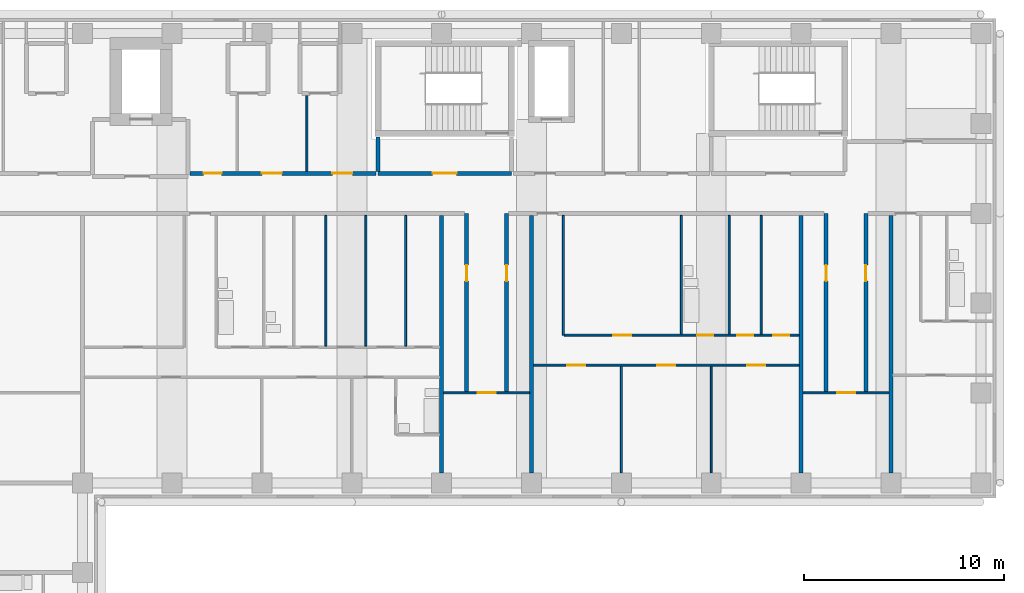
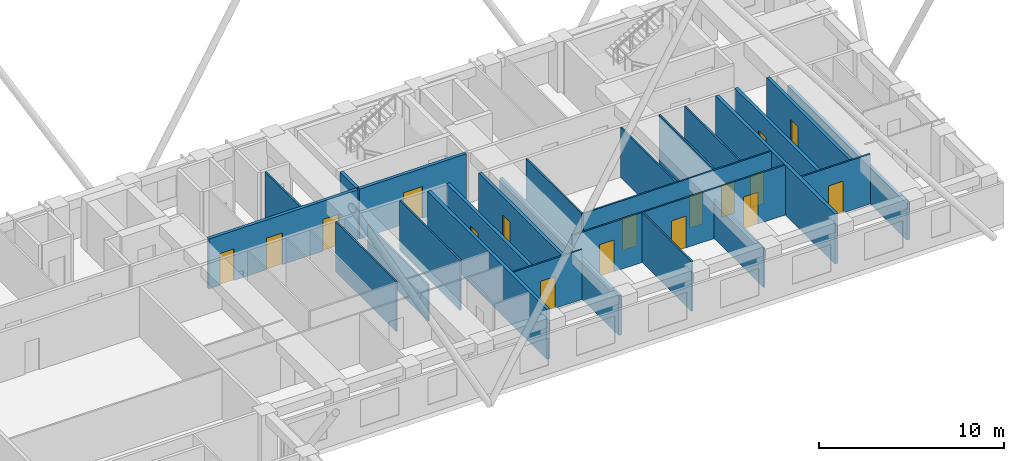
# One storey, part 8 of 13: 25 walls, 17 doors, 17 openings.
"""IFC4 building model written with IfcOpenShell, lengths in metres."""

from ifc_helpers import new_model, si_unit, direction, frame, frame_2d, origin, place, context, subcontext, project, spatial, rectangle, extrude, material, layer, layer_set, type_object, element, fill, save


model = new_model("IFC4")

# Units and contexts
model_context = context("Model", 3, precision=1e-05, world=origin(), true_north=direction((0.0, 1.0)))
body_context = subcontext(model_context, "Body", "Model", "MODEL_VIEW")
ifc_project = project(units=[si_unit("LENGTHUNIT", "METRE"), si_unit("AREAUNIT", "SQUARE_METRE"), si_unit("VOLUMEUNIT", "CUBIC_METRE"), si_unit("PLANEANGLEUNIT", "RADIAN"), si_unit("MASSUNIT", "GRAM", prefix="KILO")], contexts=[model_context])

# Site, building, storey
site_placement = place(None, origin())
site = spatial("IfcSite", under=ifc_project, at=site_placement, CompositionType="ELEMENT")
building_placement = place(site_placement, origin())
building = spatial("IfcBuilding", under=site, at=building_placement, Name="Firuza Court", CompositionType="ELEMENT")
storey_placement = place(building_placement, frame((0.0, 0.0, 162.800048828125)))
storey = spatial("IfcBuildingStorey", under=building, at=storey_placement, Name="L41", CompositionType="ELEMENT", Elevation=162.800048828125)

# Walls
ifc_material_1 = material(Name="Moisture-resistant gypsum board partition")
ifc_layer_1 = layer(ifc_material_1, 0.10009765625)
ifc_layer_set_1 = layer_set([ifc_layer_1], Name="Moisture-resistant gypsum board partition")
wall_type_1 = type_object("IfcWallType", Name="Bathroom partition 100", PredefinedType="PLUMBINGWALL", material=ifc_layer_set_1)
for number, where, z_axis, x_axis, name in (
    (1, (52.5, 43.449951171875, 0.0), (0.0, 0.0, 1.0), (0.0, 1.0, 0.0), "Bathroom partition 100 L41"),
    (2, (54.89990234375, 43.449951171875, 0.0), (0.0, 0.0, 1.0), (0.0, 1.0, 0.0), "Bathroom partition 100 L41"),
):
    element("IfcWall", number, at=place(storey_placement, frame(where, z_axis=z_axis, x_axis=x_axis)), inside=storey, type_object=wall_type_1, Name=name, PredefinedType="PLUMBINGWALL", context=body_context, shape_type="SweptSolid", body=[
        extrude(rectangle(XDim=5.949951171875, YDim=0.10009765625, at=frame_2d((2.97509765625, 0.0))), origin(), (0.0, 0.0, 1.0), 3.300048828125),
    ])

# Wall, opening, door
ifc_material_2 = material(Name="Blockwork, plastered both sides", Category="masonry")
ifc_layer_2 = layer(ifc_material_2, 0.199951171875)
ifc_layer_set_2 = layer_set([ifc_layer_2], Name="Blockwork, plastered both sides")
wall_type_2 = type_object("IfcWallType", Name="Corridor wall 200", PredefinedType="PARTITIONING", material=ifc_layer_set_2)
wall_1_placement = place(storey_placement, frame((41.75, 40.550048828125, 0.0), z_axis=(0.0, 0.0, 1.0), x_axis=(0.0, 1.0, 0.0)))
wall_1 = element("IfcWall", 3, at=wall_1_placement, inside=storey, type_object=wall_type_2, Name="Corridor wall 200 L41", PredefinedType="PARTITIONING", context=body_context, shape_type="SweptSolid", body=[
    extrude(rectangle(XDim=8.949951171875, YDim=0.199951171875, at=frame_2d((4.47509765625, 0.0))), origin(), (0.0, 0.0, 1.0), 3.300048828125),
])
opening_1_placement = place(wall_1_placement, frame((5.550048828125, 0.0, 0.0)))
opening_1 = element("IfcOpeningElement", 4, at=opening_1_placement, cuts=wall_1, Name="Opening D41042", PredefinedType="OPENING", context=body_context, shape_type="SweptSolid", body=[
    extrude(rectangle(XDim=0.800048828125, YDim=2.10009765625, at=frame_2d((0.39990234375, 1.050048828125))), frame((0.0, 0.11181640625, 0.0), z_axis=(0.0, -1.0, 0.0), x_axis=(1.0, 0.0, 0.0)), (0.0, 0.0, 1.0), 0.223876953125),
])
ifc_material_3 = material(Name="Timber door leaf in hardwood frame", Category="wood")
door_type_1 = type_object("IfcDoorType", Name="Room door 800 EI 30", OperationType="SINGLE_SWING_LEFT", PredefinedType="DOOR", material=ifc_material_3)
door_1_placement = place(opening_1_placement, origin())
door_1 = element("IfcDoor", 5, at=door_1_placement, inside=storey, type_object=door_type_1, Name="Store door", OperationType="SINGLE_SWING_RIGHT", OverallHeight=2.10009765625, OverallWidth=0.800048828125, PredefinedType="DOOR", context=body_context, shape_type="SweptSolid", body=[
    extrude(rectangle(XDim=0.800048828125, YDim=2.10009765625, at=frame_2d((0.39990234375, 1.050048828125))), frame((0.0, 0.02490234375, 0.0), z_axis=(0.0, -1.0, 0.0), x_axis=(1.0, 0.0, 0.0)), (0.0, 0.0, 1.0), 0.050048828125),
])
fill(opening_1, door_1)

wall_2_placement = place(storey_placement, frame((43.75, 40.550048828125, 0.0), z_axis=(0.0, 0.0, 1.0), x_axis=(0.0, 1.0, 0.0)))
wall_2 = element("IfcWall", 6, at=wall_2_placement, inside=storey, type_object=wall_type_2, Name="Corridor wall 200 L41", PredefinedType="PARTITIONING", context=body_context, shape_type="SweptSolid", body=[
    extrude(rectangle(XDim=8.949951171875, YDim=0.199951171875, at=frame_2d((4.47509765625, 0.0))), origin(), (0.0, 0.0, 1.0), 3.300048828125),
])
opening_2_placement = place(wall_2_placement, frame((5.550048828125, 0.0, 0.0)))
opening_2 = element("IfcOpeningElement", 7, at=opening_2_placement, cuts=wall_2, Name="Opening D41043", PredefinedType="OPENING", context=body_context, shape_type="SweptSolid", body=[
    extrude(rectangle(XDim=0.800048828125, YDim=2.10009765625, at=frame_2d((0.39990234375, 1.050048828125))), frame((0.0, 0.11181640625, 0.0), z_axis=(0.0, -1.0, 0.0), x_axis=(1.0, 0.0, 0.0)), (0.0, 0.0, 1.0), 0.223876953125),
])
door_2_placement = place(opening_2_placement, frame((0.800048828125, 0.0, 0.0), z_axis=(0.0, 0.0, 1.0), x_axis=(-1.0, 0.0, 0.0)))
door_2 = element("IfcDoor", 8, at=door_2_placement, inside=storey, type_object=door_type_1, Name="Store door", OperationType="SINGLE_SWING_LEFT", OverallHeight=2.10009765625, OverallWidth=0.800048828125, PredefinedType="DOOR", context=body_context, shape_type="SweptSolid", body=[
    extrude(rectangle(XDim=0.800048828125, YDim=2.10009765625, at=frame_2d((0.39990234375, 1.050048828125))), frame((0.0, 0.02490234375, 0.0), z_axis=(0.0, -1.0, 0.0), x_axis=(1.0, 0.0, 0.0)), (0.0, 0.0, 1.0), 0.050048828125),
])
fill(opening_2, door_2)

wall_3_placement = place(storey_placement, frame((59.75, 40.550048828125, 0.0), z_axis=(0.0, 0.0, 1.0), x_axis=(0.0, 1.0, 0.0)))
wall_3 = element("IfcWall", 9, at=wall_3_placement, inside=storey, type_object=wall_type_2, Name="Corridor wall 200 L41", PredefinedType="PARTITIONING", context=body_context, shape_type="SweptSolid", body=[
    extrude(rectangle(XDim=8.949951171875, YDim=0.199951171875, at=frame_2d((4.47509765625, 0.0))), origin(), (0.0, 0.0, 1.0), 3.300048828125),
])
opening_3_placement = place(wall_3_placement, frame((5.550048828125, 0.0, 0.0)))
opening_3 = element("IfcOpeningElement", 10, at=opening_3_placement, cuts=wall_3, Name="Opening D41044", PredefinedType="OPENING", context=body_context, shape_type="SweptSolid", body=[
    extrude(rectangle(XDim=0.800048828125, YDim=2.10009765625, at=frame_2d((0.39990234375, 1.050048828125))), frame((0.0, 0.11181640625, 0.0), z_axis=(0.0, -1.0, 0.0), x_axis=(1.0, 0.0, 0.0)), (0.0, 0.0, 1.0), 0.223876953125),
])
door_3_placement = place(opening_3_placement, origin())
door_3 = element("IfcDoor", 11, at=door_3_placement, inside=storey, type_object=door_type_1, Name="Store door", OperationType="SINGLE_SWING_RIGHT", OverallHeight=2.10009765625, OverallWidth=0.800048828125, PredefinedType="DOOR", context=body_context, shape_type="SweptSolid", body=[
    extrude(rectangle(XDim=0.800048828125, YDim=2.10009765625, at=frame_2d((0.39990234375, 1.050048828125))), frame((0.0, 0.02490234375, 0.0), z_axis=(0.0, -1.0, 0.0), x_axis=(1.0, 0.0, 0.0)), (0.0, 0.0, 1.0), 0.050048828125),
])
fill(opening_3, door_3)

wall_4_placement = place(storey_placement, frame((61.75, 40.550048828125, 0.0), z_axis=(0.0, 0.0, 1.0), x_axis=(0.0, 1.0, 0.0)))
wall_4 = element("IfcWall", 12, at=wall_4_placement, inside=storey, type_object=wall_type_2, Name="Corridor wall 200 L41", PredefinedType="PARTITIONING", context=body_context, shape_type="SweptSolid", body=[
    extrude(rectangle(XDim=8.949951171875, YDim=0.199951171875, at=frame_2d((4.47509765625, 0.0))), origin(), (0.0, 0.0, 1.0), 3.300048828125),
])
opening_4_placement = place(wall_4_placement, frame((5.550048828125, 0.0, 0.0)))
opening_4 = element("IfcOpeningElement", 13, at=opening_4_placement, cuts=wall_4, Name="Opening D41045", PredefinedType="OPENING", context=body_context, shape_type="SweptSolid", body=[
    extrude(rectangle(XDim=0.800048828125, YDim=2.10009765625, at=frame_2d((0.39990234375, 1.050048828125))), frame((0.0, 0.11181640625, 0.0), z_axis=(0.0, -1.0, 0.0), x_axis=(1.0, 0.0, 0.0)), (0.0, 0.0, 1.0), 0.223876953125),
])
door_4_placement = place(opening_4_placement, frame((0.800048828125, 0.0, 0.0), z_axis=(0.0, 0.0, 1.0), x_axis=(-1.0, 0.0, 0.0)))
door_4 = element("IfcDoor", 14, at=door_4_placement, inside=storey, type_object=door_type_1, Name="Store door", OperationType="SINGLE_SWING_LEFT", OverallHeight=2.10009765625, OverallWidth=0.800048828125, PredefinedType="DOOR", context=body_context, shape_type="SweptSolid", body=[
    extrude(rectangle(XDim=0.800048828125, YDim=2.10009765625, at=frame_2d((0.39990234375, 1.050048828125))), frame((0.0, 0.02490234375, 0.0), z_axis=(0.0, -1.0, 0.0), x_axis=(1.0, 0.0, 0.0)), (0.0, 0.0, 1.0), 0.050048828125),
])
fill(opening_4, door_4)

# Wall, openings, doors
wall_5_placement = place(storey_placement, frame((27.89990234375, 51.5, 0.0), z_axis=(0.0, 0.0, 1.0), x_axis=(1.0, 0.0, 0.0)))
wall_5 = element("IfcWall", 15, at=wall_5_placement, inside=storey, type_object=wall_type_2, Name="Corridor wall 200 L41", PredefinedType="PARTITIONING", context=body_context, shape_type="SweptSolid", body=[
    extrude(rectangle(XDim=9.300048828125, YDim=0.199951171875, at=frame_2d((4.64990234375, 0.0))), origin(), (0.0, 0.0, 1.0), 3.300048828125),
])
opening_5_placement = place(wall_5_placement, frame((0.675048828125, 0.0, 0.0)))
opening_5 = element("IfcOpeningElement", 16, at=opening_5_placement, cuts=wall_5, Name="Opening D41073", PredefinedType="OPENING", context=body_context, shape_type="SweptSolid", body=[
    extrude(rectangle(XDim=0.89990234375, YDim=2.10009765625, at=frame_2d((0.449951171875, 1.050048828125))), frame((0.0, 0.11181640625, 0.0), z_axis=(0.0, -1.0, 0.0), x_axis=(1.0, 0.0, 0.0)), (0.0, 0.0, 1.0), 0.223876953125),
])
opening_6_placement = place(wall_5_placement, frame((3.60009765625, 0.0, 0.0)))
opening_6 = element("IfcOpeningElement", 17, at=opening_6_placement, cuts=wall_5, Name="Opening D41074", PredefinedType="OPENING", context=body_context, shape_type="SweptSolid", body=[
    extrude(rectangle(XDim=1.0, YDim=2.10009765625, at=frame_2d((0.5, 1.050048828125))), frame((0.0, 0.11181640625, 0.0), z_axis=(0.0, -1.0, 0.0), x_axis=(1.0, 0.0, 0.0)), (0.0, 0.0, 1.0), 0.223876953125),
])
opening_7_placement = place(wall_5_placement, frame((7.125, 0.0, 0.0)))
opening_7 = element("IfcOpeningElement", 18, at=opening_7_placement, cuts=wall_5, Name="Opening D41075", PredefinedType="OPENING", context=body_context, shape_type="SweptSolid", body=[
    extrude(rectangle(XDim=1.0, YDim=2.10009765625, at=frame_2d((0.5, 1.050048828125))), frame((0.0, 0.11181640625, 0.0), z_axis=(0.0, -1.0, 0.0), x_axis=(1.0, 0.0, 0.0)), (0.0, 0.0, 1.0), 0.223876953125),
])
ifc_material_4 = material(Name="Timber door leaf in hardwood frame", Category="wood")
door_type_2 = type_object("IfcDoorType", Name="Room door 900 EI 30", OperationType="SINGLE_SWING_LEFT", PredefinedType="DOOR", material=ifc_material_4)
door_5_placement = place(opening_5_placement, origin())
door_5 = element("IfcDoor", 19, at=door_5_placement, inside=storey, type_object=door_type_2, Name="Residents' workroom door", OperationType="SINGLE_SWING_LEFT", OverallHeight=2.10009765625, OverallWidth=0.89990234375, PredefinedType="DOOR", context=body_context, shape_type="SweptSolid", body=[
    extrude(rectangle(XDim=0.89990234375, YDim=2.10009765625, at=frame_2d((0.449951171875, 1.050048828125))), frame((0.0, 0.02490234375, 0.0), z_axis=(0.0, -1.0, 0.0), x_axis=(1.0, 0.0, 0.0)), (0.0, 0.0, 1.0), 0.050048828125),
])
fill(opening_5, door_5)
ifc_material_5 = material(Name="Timber door leaf in hardwood frame", Category="wood")
door_type_3 = type_object("IfcDoorType", Name="Store door 1000", OperationType="SINGLE_SWING_LEFT", PredefinedType="DOOR", material=ifc_material_5)
door_6_placement = place(opening_6_placement, origin())
door_6 = element("IfcDoor", 20, at=door_6_placement, inside=storey, type_object=door_type_3, Name="Refuse store door", OperationType="SINGLE_SWING_LEFT", OverallHeight=2.10009765625, OverallWidth=1.0, PredefinedType="DOOR", context=body_context, shape_type="SweptSolid", body=[
    extrude(rectangle(XDim=1.0, YDim=2.10009765625, at=frame_2d((0.5, 1.050048828125))), frame((0.0, 0.02490234375, 0.0), z_axis=(0.0, -1.0, 0.0), x_axis=(1.0, 0.0, 0.0)), (0.0, 0.0, 1.0), 0.050048828125),
])
fill(opening_6, door_6)
door_7_placement = place(opening_7_placement, origin())
door_7 = element("IfcDoor", 21, at=door_7_placement, inside=storey, type_object=door_type_3, Name="Cleaner's store door", OperationType="SINGLE_SWING_LEFT", OverallHeight=2.10009765625, OverallWidth=1.0, PredefinedType="DOOR", context=body_context, shape_type="SweptSolid", body=[
    extrude(rectangle(XDim=1.0, YDim=2.10009765625, at=frame_2d((0.5, 1.050048828125))), frame((0.0, 0.02490234375, 0.0), z_axis=(0.0, -1.0, 0.0), x_axis=(1.0, 0.0, 0.0)), (0.0, 0.0, 1.0), 0.050048828125),
])
fill(opening_7, door_7)

# Walls
ifc_material_6 = material(Name="Timber stud partition, plasterboard both sides", Category="wood")
ifc_layer_3 = layer(ifc_material_6, 0.10009765625)
ifc_layer_set_3 = layer_set([ifc_layer_3], Name="Timber stud partition, plasterboard both sides")
wall_type_3 = type_object("IfcWallType", Name="Partition wall 100", PredefinedType="PARTITIONING", material=ifc_layer_set_3)
wall_6_placement = place(storey_placement, frame((49.5, 36.5, 0.0), z_axis=(0.0, 0.0, 1.0), x_axis=(0.0, 1.0, 0.0)))
element("IfcWall", 22, at=wall_6_placement, inside=storey, type_object=wall_type_3, Name="Partition wall 100 L41", PredefinedType="PARTITIONING", context=body_context, shape_type="SweptSolid", body=[
    extrude(rectangle(XDim=5.35009765625, YDim=0.10009765625, at=frame_2d((2.675048828125, 0.0))), origin(), (0.0, 0.0, 1.0), 3.300048828125),
])
wall_7_placement = place(storey_placement, frame((54.0, 36.5, 0.0), z_axis=(0.0, 0.0, 1.0), x_axis=(0.0, 1.0, 0.0)))
element("IfcWall", 23, at=wall_7_placement, inside=storey, type_object=wall_type_3, Name="Partition wall 100 L41", PredefinedType="PARTITIONING", context=body_context, shape_type="SweptSolid", body=[
    extrude(rectangle(XDim=5.35009765625, YDim=0.10009765625, at=frame_2d((2.675048828125, 0.0))), origin(), (0.0, 0.0, 1.0), 2.599853515625),
])

# Wall, opening, door
wall_8_placement = place(storey_placement, frame((40.60009765625, 40.5, 0.0), z_axis=(0.0, 0.0, 1.0), x_axis=(1.0, 0.0, 0.0)))
wall_8 = element("IfcWall", 24, at=wall_8_placement, inside=storey, type_object=wall_type_3, Name="Partition wall 100 L41", PredefinedType="PARTITIONING", context=body_context, shape_type="SweptSolid", body=[
    extrude(rectangle(XDim=4.2998046875, YDim=0.10009765625, at=frame_2d((2.14990234375, 0.0))), origin(), (0.0, 0.0, 1.0), 3.300048828125),
])
opening_8_placement = place(wall_8_placement, frame((1.699951171875, 0.0, 0.0)))
opening_8 = element("IfcOpeningElement", 25, at=opening_8_placement, cuts=wall_8, Name="Opening D41040", PredefinedType="OPENING", context=body_context, shape_type="SweptSolid", body=[
    extrude(rectangle(XDim=0.89990234375, YDim=2.10009765625, at=frame_2d((0.449951171875, 1.050048828125))), frame((0.0, 0.06201171875, 0.0), z_axis=(0.0, -1.0, 0.0), x_axis=(1.0, 0.0, 0.0)), (0.0, 0.0, 1.0), 0.1240234375),
])
ifc_material_7 = material(Name="Timber door leaf in hardwood frame", Category="wood")
door_type_4 = type_object("IfcDoorType", Name="Room door 900", OperationType="SINGLE_SWING_LEFT", PredefinedType="DOOR", material=ifc_material_7)
door_8_placement = place(opening_8_placement, origin())
door_8 = element("IfcDoor", 26, at=door_8_placement, inside=storey, type_object=door_type_4, Name="Music lounge door", OperationType="SINGLE_SWING_LEFT", OverallHeight=2.10009765625, OverallWidth=0.89990234375, PredefinedType="DOOR", context=body_context, shape_type="SweptSolid", body=[
    extrude(rectangle(XDim=0.89990234375, YDim=2.10009765625, at=frame_2d((0.449951171875, 1.050048828125))), frame((0.0, 0.02490234375, 0.0), z_axis=(0.0, -1.0, 0.0), x_axis=(1.0, 0.0, 0.0)), (0.0, 0.0, 1.0), 0.050048828125),
])
fill(opening_8, door_8)

wall_9_placement = place(storey_placement, frame((58.60009765625, 40.5, 0.0), z_axis=(0.0, 0.0, 1.0), x_axis=(1.0, 0.0, 0.0)))
wall_9 = element("IfcWall", 27, at=wall_9_placement, inside=storey, type_object=wall_type_3, Name="Partition wall 100 L41", PredefinedType="PARTITIONING", context=body_context, shape_type="SweptSolid", body=[
    extrude(rectangle(XDim=4.2998046875, YDim=0.10009765625, at=frame_2d((2.14990234375, 0.0))), origin(), (0.0, 0.0, 1.0), 3.300048828125),
])
opening_9_placement = place(wall_9_placement, frame((1.699951171875, 0.0, 0.0)))
opening_9 = element("IfcOpeningElement", 28, at=opening_9_placement, cuts=wall_9, Name="Opening D41041", PredefinedType="OPENING", context=body_context, shape_type="SweptSolid", body=[
    extrude(rectangle(XDim=0.89990234375, YDim=2.10009765625, at=frame_2d((0.449951171875, 1.050048828125))), frame((0.0, 0.06201171875, 0.0), z_axis=(0.0, -1.0, 0.0), x_axis=(1.0, 0.0, 0.0)), (0.0, 0.0, 1.0), 0.1240234375),
])
door_9_placement = place(opening_9_placement, origin())
door_9 = element("IfcDoor", 29, at=door_9_placement, inside=storey, type_object=door_type_4, Name="Residents' lounge door", OperationType="SINGLE_SWING_LEFT", OverallHeight=2.10009765625, OverallWidth=0.89990234375, PredefinedType="DOOR", context=body_context, shape_type="SweptSolid", body=[
    extrude(rectangle(XDim=0.89990234375, YDim=2.10009765625, at=frame_2d((0.449951171875, 1.050048828125))), frame((0.0, 0.02490234375, 0.0), z_axis=(0.0, -1.0, 0.0), x_axis=(1.0, 0.0, 0.0)), (0.0, 0.0, 1.0), 0.050048828125),
])
fill(opening_9, door_9)

# Wall, openings, doors
wall_10_placement = place(storey_placement, frame((45.10009765625, 41.89990234375, 0.0), z_axis=(0.0, 0.0, 1.0), x_axis=(1.0, 0.0, 0.0)))
wall_10 = element("IfcWall", 30, at=wall_10_placement, inside=storey, type_object=wall_type_3, Name="Partition wall 100 L41", PredefinedType="PARTITIONING", context=body_context, shape_type="SweptSolid", body=[
    extrude(rectangle(XDim=13.2998046875, YDim=0.10009765625, at=frame_2d((6.64990234375, 0.0))), origin(), (0.0, 0.0, 1.0), 3.300048828125),
])
opening_10_placement = place(wall_10_placement, frame((1.699951171875, 0.0, 0.0)))
opening_10 = element("IfcOpeningElement", 31, at=opening_10_placement, cuts=wall_10, Name="Opening D41050", PredefinedType="OPENING", context=body_context, shape_type="SweptSolid", body=[
    extrude(rectangle(XDim=0.89990234375, YDim=2.10009765625, at=frame_2d((0.449951171875, 1.050048828125))), frame((0.0, 0.06201171875, 0.0), z_axis=(0.0, -1.0, 0.0), x_axis=(1.0, 0.0, 0.0)), (0.0, 0.0, 1.0), 0.1240234375),
])
opening_11_placement = place(wall_10_placement, frame((6.199951171875, 0.0, 0.0)))
opening_11 = element("IfcOpeningElement", 32, at=opening_11_placement, cuts=wall_10, Name="Opening D41051", PredefinedType="OPENING", context=body_context, shape_type="SweptSolid", body=[
    extrude(rectangle(XDim=0.89990234375, YDim=2.10009765625, at=frame_2d((0.449951171875, 1.050048828125))), frame((0.0, 0.06201171875, 0.0), z_axis=(0.0, -1.0, 0.0), x_axis=(1.0, 0.0, 0.0)), (0.0, 0.0, 1.0), 0.1240234375),
])
opening_12_placement = place(wall_10_placement, frame((10.699951171875, 0.0, 0.0)))
opening_12 = element("IfcOpeningElement", 33, at=opening_12_placement, cuts=wall_10, Name="Opening D41052", PredefinedType="OPENING", context=body_context, shape_type="SweptSolid", body=[
    extrude(rectangle(XDim=0.89990234375, YDim=2.10009765625, at=frame_2d((0.449951171875, 1.050048828125))), frame((0.0, 0.06201171875, 0.0), z_axis=(0.0, -1.0, 0.0), x_axis=(1.0, 0.0, 0.0)), (0.0, 0.0, 1.0), 0.1240234375),
])
door_10_placement = place(opening_10_placement, frame((0.89990234375, 0.0, 0.0), z_axis=(0.0, 0.0, 1.0), x_axis=(-1.0, 0.0, 0.0)))
door_10 = element("IfcDoor", 34, at=door_10_placement, inside=storey, type_object=door_type_4, Name="Living room door", OperationType="SINGLE_SWING_RIGHT", OverallHeight=2.10009765625, OverallWidth=0.89990234375, PredefinedType="DOOR", context=body_context, shape_type="SweptSolid", body=[
    extrude(rectangle(XDim=0.89990234375, YDim=2.10009765625, at=frame_2d((0.449951171875, 1.050048828125))), frame((0.0, 0.02490234375, 0.0), z_axis=(0.0, -1.0, 0.0), x_axis=(1.0, 0.0, 0.0)), (0.0, 0.0, 1.0), 0.050048828125),
])
fill(opening_10, door_10)
door_11_placement = place(opening_11_placement, frame((0.89990234375, 0.0, 0.0), z_axis=(0.0, 0.0, 1.0), x_axis=(-1.0, 0.0, 0.0)))
door_11 = element("IfcDoor", 35, at=door_11_placement, inside=storey, type_object=door_type_4, Name="Bedroom door", OperationType="SINGLE_SWING_RIGHT", OverallHeight=2.10009765625, OverallWidth=0.89990234375, PredefinedType="DOOR", context=body_context, shape_type="SweptSolid", body=[
    extrude(rectangle(XDim=0.89990234375, YDim=2.10009765625, at=frame_2d((0.449951171875, 1.050048828125))), frame((0.0, 0.02490234375, 0.0), z_axis=(0.0, -1.0, 0.0), x_axis=(1.0, 0.0, 0.0)), (0.0, 0.0, 1.0), 0.050048828125),
])
fill(opening_11, door_11)
door_12_placement = place(opening_12_placement, frame((0.89990234375, 0.0, 0.0), z_axis=(0.0, 0.0, 1.0), x_axis=(-1.0, 0.0, 0.0)))
door_12 = element("IfcDoor", 36, at=door_12_placement, inside=storey, type_object=door_type_4, Name="Bedroom door", OperationType="SINGLE_SWING_RIGHT", OverallHeight=2.10009765625, OverallWidth=0.89990234375, PredefinedType="DOOR", context=body_context, shape_type="SweptSolid", body=[
    extrude(rectangle(XDim=0.89990234375, YDim=2.10009765625, at=frame_2d((0.449951171875, 1.050048828125))), frame((0.0, 0.02490234375, 0.0), z_axis=(0.0, -1.0, 0.0), x_axis=(1.0, 0.0, 0.0)), (0.0, 0.0, 1.0), 0.050048828125),
])
fill(opening_12, door_12)

# Walls
wall_11_placement = place(storey_placement, frame((34.699951171875, 42.85009765625, 0.0), z_axis=(0.0, 0.0, 1.0), x_axis=(0.0, 1.0, 0.0)))
element("IfcWall", 37, at=wall_11_placement, inside=storey, type_object=wall_type_3, Name="Partition wall 100 L41", PredefinedType="PARTITIONING", context=body_context, shape_type="SweptSolid", body=[
    extrude(rectangle(XDim=6.5498046875, YDim=0.10009765625, at=frame_2d((3.27490234375, 0.0))), origin(), (0.0, 0.0, 1.0), 3.300048828125),
])
wall_12_placement = place(storey_placement, frame((36.699951171875, 42.85009765625, 0.0), z_axis=(0.0, 0.0, 1.0), x_axis=(0.0, 1.0, 0.0)))
element("IfcWall", 38, at=wall_12_placement, inside=storey, type_object=wall_type_3, Name="Partition wall 100 L41", PredefinedType="PARTITIONING", context=body_context, shape_type="SweptSolid", body=[
    extrude(rectangle(XDim=6.5498046875, YDim=0.10009765625, at=frame_2d((3.27490234375, 0.0))), origin(), (0.0, 0.0, 1.0), 2.39990234375),
])
wall_13_placement = place(storey_placement, frame((38.699951171875, 42.85009765625, 0.0), z_axis=(0.0, 0.0, 1.0), x_axis=(0.0, 1.0, 0.0)))
element("IfcWall", 39, at=wall_13_placement, inside=storey, type_object=wall_type_3, Name="Partition wall 100 L41", PredefinedType="PARTITIONING", context=body_context, shape_type="SweptSolid", body=[
    extrude(rectangle(XDim=6.5498046875, YDim=0.10009765625, at=frame_2d((3.27490234375, 0.0))), origin(), (0.0, 0.0, 1.0), 3.300048828125),
])
wall_14_placement = place(storey_placement, frame((46.60009765625, 43.39990234375, 0.0), z_axis=(0.0, 0.0, 1.0), x_axis=(0.0, 1.0, 0.0)))
element("IfcWall", 40, at=wall_14_placement, inside=storey, type_object=wall_type_3, Name="Partition wall 100 L41", PredefinedType="PARTITIONING", context=body_context, shape_type="SweptSolid", body=[
    extrude(rectangle(XDim=6.0, YDim=0.10009765625, at=frame_2d((3.0, 0.0))), origin(), (0.0, 0.0, 1.0), 3.300048828125),
])

# Wall, openings, doors
wall_15_placement = place(storey_placement, frame((46.64990234375, 43.39990234375, 0.0), z_axis=(0.0, 0.0, 1.0), x_axis=(1.0, 0.0, 0.0)))
wall_15 = element("IfcWall", 41, at=wall_15_placement, inside=storey, type_object=wall_type_3, Name="Partition wall 100 L41", PredefinedType="PARTITIONING", context=body_context, shape_type="SweptSolid", body=[
    extrude(rectangle(XDim=11.75, YDim=0.10009765625, at=frame_2d((5.875, 0.0))), origin(), (0.0, 0.0, 1.0), 3.300048828125),
])
opening_13_placement = place(wall_15_placement, frame((6.64990234375, 0.0, 0.0)))
opening_13 = element("IfcOpeningElement", 42, at=opening_13_placement, cuts=wall_15, Name="Opening D41060", PredefinedType="OPENING", context=body_context, shape_type="SweptSolid", body=[
    extrude(rectangle(XDim=0.800048828125, YDim=2.10009765625, at=frame_2d((0.39990234375, 1.050048828125))), frame((0.0, 0.06201171875, 0.0), z_axis=(0.0, -1.0, 0.0), x_axis=(1.0, 0.0, 0.0)), (0.0, 0.0, 1.0), 0.1240234375),
])
opening_14_placement = place(wall_15_placement, frame((2.449951171875, 0.0, 0.0)))
opening_14 = element("IfcOpeningElement", 43, at=opening_14_placement, cuts=wall_15, Name="Opening D41061", PredefinedType="OPENING", context=body_context, shape_type="SweptSolid", body=[
    extrude(rectangle(XDim=0.89990234375, YDim=2.10009765625, at=frame_2d((0.449951171875, 1.050048828125))), frame((0.0, 0.06201171875, 0.0), z_axis=(0.0, -1.0, 0.0), x_axis=(1.0, 0.0, 0.0)), (0.0, 0.0, 1.0), 0.1240234375),
])
opening_15_placement = place(wall_15_placement, frame((8.64990234375, 0.0, 0.0)))
opening_15 = element("IfcOpeningElement", 44, at=opening_15_placement, cuts=wall_15, Name="Opening D41062", PredefinedType="OPENING", context=body_context, shape_type="SweptSolid", body=[
    extrude(rectangle(XDim=0.800048828125, YDim=2.10009765625, at=frame_2d((0.39990234375, 1.050048828125))), frame((0.0, 0.06201171875, 0.0), z_axis=(0.0, -1.0, 0.0), x_axis=(1.0, 0.0, 0.0)), (0.0, 0.0, 1.0), 0.1240234375),
])
opening_16_placement = place(wall_15_placement, frame((10.449951171875, 0.0, 0.0)))
opening_16 = element("IfcOpeningElement", 45, at=opening_16_placement, cuts=wall_15, Name="Opening D41063", PredefinedType="OPENING", context=body_context, shape_type="SweptSolid", body=[
    extrude(rectangle(XDim=0.800048828125, YDim=2.10009765625, at=frame_2d((0.39990234375, 1.050048828125))), frame((0.0, 0.06201171875, 0.0), z_axis=(0.0, -1.0, 0.0), x_axis=(1.0, 0.0, 0.0)), (0.0, 0.0, 1.0), 0.1240234375),
])
ifc_material_8 = material(Name="Timber door leaf in hardwood frame", Category="wood")
door_type_5 = type_object("IfcDoorType", Name="Bathroom door 800", OperationType="SINGLE_SWING_LEFT", PredefinedType="DOOR", material=ifc_material_8)
door_13_placement = place(opening_13_placement, origin())
door_13 = element("IfcDoor", 46, at=door_13_placement, inside=storey, type_object=door_type_5, Name="Bathroom door", OperationType="SINGLE_SWING_LEFT", OverallHeight=2.10009765625, OverallWidth=0.800048828125, PredefinedType="DOOR", context=body_context, shape_type="SweptSolid", body=[
    extrude(rectangle(XDim=0.800048828125, YDim=2.10009765625, at=frame_2d((0.39990234375, 1.050048828125))), frame((0.0, 0.02490234375, 0.0), z_axis=(0.0, -1.0, 0.0), x_axis=(1.0, 0.0, 0.0)), (0.0, 0.0, 1.0), 0.050048828125),
])
fill(opening_13, door_13)
ifc_material_9 = material(Name="Timber door leaf in hardwood frame", Category="wood")
door_type_6 = type_object("IfcDoorType", Name="Room door 800", OperationType="SINGLE_SWING_LEFT", PredefinedType="DOOR", material=ifc_material_9)
door_14_placement = place(opening_15_placement, origin())
door_14 = element("IfcDoor", 47, at=door_14_placement, inside=storey, type_object=door_type_6, Name="Store door", OperationType="SINGLE_SWING_LEFT", OverallHeight=2.10009765625, OverallWidth=0.800048828125, PredefinedType="DOOR", context=body_context, shape_type="SweptSolid", body=[
    extrude(rectangle(XDim=0.800048828125, YDim=2.10009765625, at=frame_2d((0.39990234375, 1.050048828125))), frame((0.0, 0.02490234375, 0.0), z_axis=(0.0, -1.0, 0.0), x_axis=(1.0, 0.0, 0.0)), (0.0, 0.0, 1.0), 0.050048828125),
])
fill(opening_15, door_14)
door_15_placement = place(opening_16_placement, origin())
door_15 = element("IfcDoor", 48, at=door_15_placement, inside=storey, type_object=door_type_6, Name="Utility room door", OperationType="SINGLE_SWING_LEFT", OverallHeight=2.10009765625, OverallWidth=0.800048828125, PredefinedType="DOOR", context=body_context, shape_type="SweptSolid", body=[
    extrude(rectangle(XDim=0.800048828125, YDim=2.10009765625, at=frame_2d((0.39990234375, 1.050048828125))), frame((0.0, 0.02490234375, 0.0), z_axis=(0.0, -1.0, 0.0), x_axis=(1.0, 0.0, 0.0)), (0.0, 0.0, 1.0), 0.050048828125),
])
fill(opening_16, door_15)
door_16_placement = place(opening_14_placement, origin())
door_16 = element("IfcDoor", 49, at=door_16_placement, inside=storey, type_object=door_type_4, Name="Kitchen door", OperationType="SINGLE_SWING_LEFT", OverallHeight=2.10009765625, OverallWidth=0.89990234375, PredefinedType="DOOR", context=body_context, shape_type="SweptSolid", body=[
    extrude(rectangle(XDim=0.89990234375, YDim=2.10009765625, at=frame_2d((0.449951171875, 1.050048828125))), frame((0.0, 0.02490234375, 0.0), z_axis=(0.0, -1.0, 0.0), x_axis=(1.0, 0.0, 0.0)), (0.0, 0.0, 1.0), 0.050048828125),
])
fill(opening_14, door_16)

# Walls
wall_16_placement = place(storey_placement, frame((56.5, 43.449951171875, 0.0), z_axis=(0.0, 0.0, 1.0), x_axis=(0.0, 1.0, 0.0)))
element("IfcWall", 50, at=wall_16_placement, inside=storey, type_object=wall_type_3, Name="Partition wall 100 L41", PredefinedType="PARTITIONING", context=body_context, shape_type="SweptSolid", body=[
    extrude(rectangle(XDim=5.949951171875, YDim=0.10009765625, at=frame_2d((2.97509765625, 0.0))), origin(), (0.0, 0.0, 1.0), 3.300048828125),
])
wall_17_placement = place(storey_placement, frame((33.75, 51.60009765625, 0.0), z_axis=(0.0, 0.0, 1.0), x_axis=(0.0, 1.0, 0.0)))
element("IfcWall", 51, at=wall_17_placement, inside=storey, type_object=wall_type_3, Name="Partition wall 100 L41", PredefinedType="PARTITIONING", context=body_context, shape_type="SweptSolid", body=[
    extrude(rectangle(XDim=3.7998046875, YDim=0.10009765625, at=frame_2d((1.89990234375, 0.0))), origin(), (0.0, 0.0, 1.0), 3.300048828125),
])
ifc_layer_4 = layer(ifc_material_2, 0.199951171875)
ifc_layer_set_4 = layer_set([ifc_layer_4], Name="Blockwork, plastered both sides")
wall_type_4 = type_object("IfcWallType", Name="Party wall 200", PredefinedType="PARTITIONING", material=ifc_layer_set_4)
wall_18_placement = place(storey_placement, frame((40.5, 36.5, 0.0), z_axis=(0.0, 0.0, 1.0), x_axis=(0.0, 1.0, 0.0)))
element("IfcWall", 52, at=wall_18_placement, inside=storey, type_object=wall_type_4, Name="Party wall 200 L41", PredefinedType="PARTITIONING", context=body_context, shape_type="SweptSolid", body=[
    extrude(rectangle(XDim=12.89990234375, YDim=0.199951171875, at=frame_2d((6.449951171875, 0.0))), origin(), (0.0, 0.0, 1.0), 3.300048828125),
])
wall_19_placement = place(storey_placement, frame((45.0, 36.5, 0.0), z_axis=(0.0, 0.0, 1.0), x_axis=(0.0, 1.0, 0.0)))
element("IfcWall", 53, at=wall_19_placement, inside=storey, type_object=wall_type_4, Name="Party wall 200 L41", PredefinedType="PARTITIONING", context=body_context, shape_type="SweptSolid", body=[
    extrude(rectangle(XDim=12.89990234375, YDim=0.199951171875, at=frame_2d((6.449951171875, 0.0))), origin(), (0.0, 0.0, 1.0), 2.599853515625),
])
wall_20_placement = place(storey_placement, frame((58.5, 36.5, 0.0), z_axis=(0.0, 0.0, 1.0), x_axis=(0.0, 1.0, 0.0)))
element("IfcWall", 54, at=wall_20_placement, inside=storey, type_object=wall_type_4, Name="Party wall 200 L41", PredefinedType="PARTITIONING", context=body_context, shape_type="SweptSolid", body=[
    extrude(rectangle(XDim=12.89990234375, YDim=0.199951171875, at=frame_2d((6.449951171875, 0.0))), origin(), (0.0, 0.0, 1.0), 3.300048828125),
])
wall_21_placement = place(storey_placement, frame((63.0, 36.5, 0.0), z_axis=(0.0, 0.0, 1.0), x_axis=(0.0, 1.0, 0.0)))
element("IfcWall", 55, at=wall_21_placement, inside=storey, type_object=wall_type_4, Name="Party wall 200 L41", PredefinedType="PARTITIONING", context=body_context, shape_type="SweptSolid", body=[
    extrude(rectangle(XDim=12.89990234375, YDim=0.199951171875, at=frame_2d((6.449951171875, 0.0))), origin(), (0.0, 0.0, 1.0), 2.39990234375),
])

# Wall, opening, door
ifc_material_10 = material(Name="Blockwork, fire-rated", Category="masonry")
ifc_layer_5 = layer(ifc_material_10, 0.199951171875)
ifc_layer_set_5 = layer_set([ifc_layer_5], Name="Blockwork, fire-rated")
wall_type_5 = type_object("IfcWallType", Name="Shaft wall 200", PredefinedType="PARTITIONING", material=ifc_layer_set_5)
wall_22_placement = place(storey_placement, frame((37.300048828125, 51.5, 0.0), z_axis=(0.0, 0.0, 1.0), x_axis=(1.0, 0.0, 0.0)))
wall_22 = element("IfcWall", 56, at=wall_22_placement, inside=storey, type_object=wall_type_5, Name="Shaft wall 200 L41", PredefinedType="PARTITIONING", context=body_context, shape_type="SweptSolid", body=[
    extrude(rectangle(XDim=6.699951171875, YDim=0.199951171875, at=frame_2d((3.35009765625, 0.0))), origin(), (0.0, 0.0, 1.0), 3.300048828125),
])
opening_17_placement = place(wall_22_placement, frame((2.75, 0.0, 0.0)))
opening_17 = element("IfcOpeningElement", 57, at=opening_17_placement, cuts=wall_22, Name="Opening D41006", PredefinedType="OPENING", context=body_context, shape_type="SweptSolid", body=[
    extrude(rectangle(XDim=1.199951171875, YDim=2.10009765625, at=frame_2d((0.60009765625, 1.050048828125))), frame((0.0, 0.11181640625, 0.0), z_axis=(0.0, -1.0, 0.0), x_axis=(1.0, 0.0, 0.0)), (0.0, 0.0, 1.0), 0.223876953125),
])
ifc_material_11 = material(Name="Timber door leaf in hardwood frame", Category="wood")
door_type_7 = type_object("IfcDoorType", Name="Lobby door 1200", OperationType="SINGLE_SWING_LEFT", PredefinedType="DOOR", material=ifc_material_11)
door_17_placement = place(opening_17_placement, origin())
door_17 = element("IfcDoor", 58, at=door_17_placement, inside=storey, type_object=door_type_7, Name="Lobby door", OperationType="SINGLE_SWING_LEFT", OverallHeight=2.10009765625, OverallWidth=1.199951171875, PredefinedType="DOOR", context=body_context, shape_type="SweptSolid", body=[
    extrude(rectangle(XDim=1.199951171875, YDim=2.10009765625, at=frame_2d((0.60009765625, 1.050048828125))), frame((0.0, 0.02490234375, 0.0), z_axis=(0.0, -1.0, 0.0), x_axis=(1.0, 0.0, 0.0)), (0.0, 0.0, 1.0), 0.050048828125),
])
fill(opening_17, door_17)

# Wall
wall_23_placement = place(storey_placement, frame((37.300048828125, 51.60009765625, 0.0), z_axis=(0.0, 0.0, 1.0), x_axis=(0.0, 1.0, 0.0)))
element("IfcWall", 59, at=wall_23_placement, inside=storey, type_object=wall_type_5, Name="Shaft wall 200 L41", PredefinedType="PARTITIONING", context=body_context, shape_type="SweptSolid", body=[
    extrude(rectangle(XDim=1.72998046875, YDim=0.199951171875, at=frame_2d((0.864990234375, 0.0))), origin(), (0.0, 0.0, 1.0), 3.300048828125),
])

save(model, "model.ifc")
